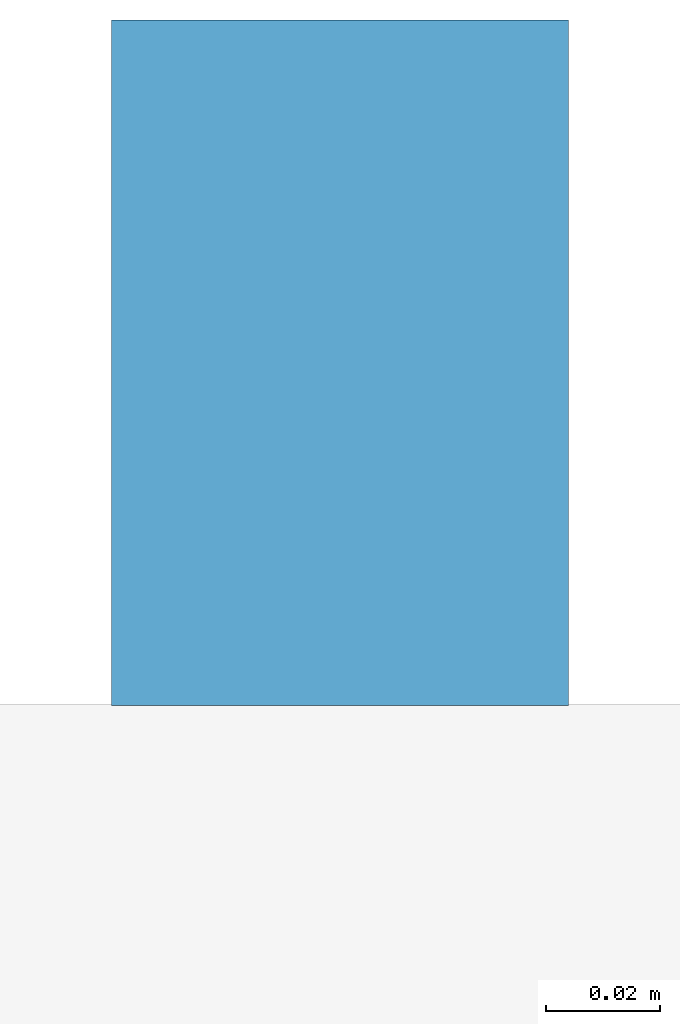
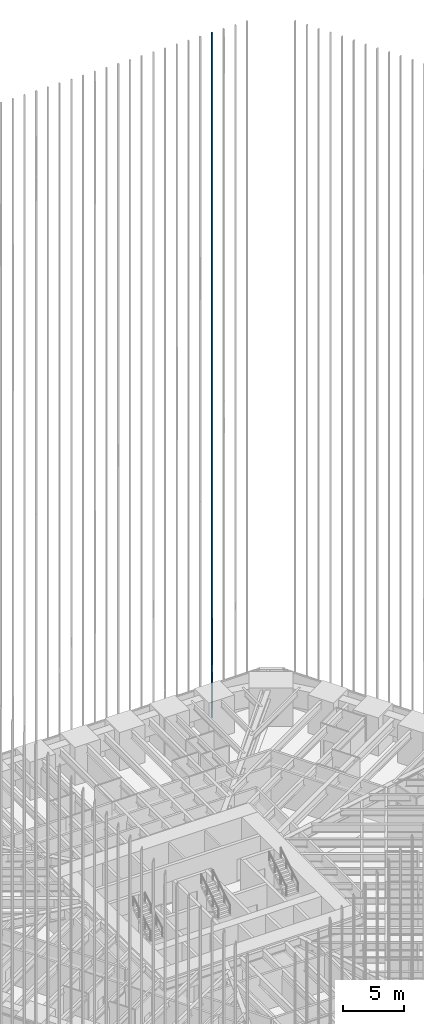
# One storey, part 235 of 256: 1 member, 1 element without a shape of its own.
"""IFC4 building model written with IfcOpenShell, lengths in metres."""

import ifcopenshell
import ifcopenshell.guid

model = None  # the IFC model being written
_history = None  # IfcOwnerHistory: only IFC2X3 demands one
_inside = {}  # id of a spatial element -> (the spatial element, [elements in it])
_under = {}  # id of a project, library or spatial element -> (it, [spatial elements below it])
_declared = {}  # id of a project -> (the project, [libraries it declares])
_typed = {}  # id of a type object -> (the type object, [elements of that type])
_made_of = {}  # id of a material, layer set ... -> (it, [elements and type objects made of it])


def new_model(schema):
    """Start an empty IFC model of exactly this schema.

    Asked for "IFC4X3", IfcOpenShell would pick the latest addendum, in which some entities
    have other attributes; the version numbers below select the first issue.
    IFC2X3 requires an IfcOwnerHistory on every rooted entity: one is made here for all.
    """
    global model, _history
    if schema == "IFC4X3":
        model = ifcopenshell.file(schema_version=(4, 3, 0, 0))
    else:
        model = ifcopenshell.file(schema=schema)
    _inside.clear()
    _under.clear()
    _declared.clear()
    _typed.clear()
    _made_of.clear()
    _history = None
    if model.schema == "IFC2X3":
        org = make("IfcOrganization", Name="unknown")
        user = make(
            "IfcPersonAndOrganization",
            ThePerson=make("IfcPerson", FamilyName="unknown"),
            TheOrganization=org,
        )
        app = make(
            "IfcApplication",
            ApplicationDeveloper=org,
            Version="unknown",
            ApplicationFullName="unknown",
            ApplicationIdentifier="unknown",
        )
        _history = make(
            "IfcOwnerHistory",
            OwningUser=user,
            OwningApplication=app,
            ChangeAction="ADDED",
            CreationDate=0,
        )
    return model


def make(cls, **values):
    """One entity of the class cls with the attributes given. An attribute that is None is left unset."""
    return model.create_entity(
        cls, **{name: value for name, value in values.items() if value is not None}
    )


def rooted(cls, **values):
    """An entity with a GlobalId (a new one), such as an element, a storey or a relation."""
    return make(cls, GlobalId=ifcopenshell.guid.new(), OwnerHistory=_history, **values)


def si_unit(unit_type, name, prefix=None):
    """IfcSIUnit, for example si_unit("LENGTHUNIT", "METRE", prefix="MILLI")."""
    return make("IfcSIUnit", UnitType=unit_type, Prefix=prefix, Name=name)


def assignment(units):
    """IfcUnitAssignment: the units of a project."""
    return None if units is None else make("IfcUnitAssignment", Units=units)


def point(xyz):
    """IfcCartesianPoint."""
    return None if xyz is None else make("IfcCartesianPoint", Coordinates=xyz)


def direction(xyz):
    """IfcDirection."""
    return None if xyz is None else make("IfcDirection", DirectionRatios=xyz)


def frame(location, z_axis=None, x_axis=None):
    """IfcAxis2Placement3D, a coordinate frame: its origin and axes. An axis left out is left unset."""
    return make(
        "IfcAxis2Placement3D",
        Location=point(location),
        Axis=direction(z_axis),
        RefDirection=direction(x_axis),
    )


def frame_2d(location, x_axis=None):
    """IfcAxis2Placement2D, a coordinate frame in the plane: its origin and x axis."""
    return make(
        "IfcAxis2Placement2D", Location=point(location), RefDirection=direction(x_axis)
    )


def origin():
    """The frame at (0, 0, 0) with its axes left unset."""
    return frame((0.0, 0.0, 0.0))


def origin_2d():
    """The frame at (0, 0) in the plane with its x axis left unset."""
    return frame_2d((0.0, 0.0))


def place(relative_to, where):
    """IfcLocalPlacement: puts the frame where relative to a parent placement (None: the world)."""
    return make(
        "IfcLocalPlacement", PlacementRelTo=relative_to, RelativePlacement=where
    )


def context(
    kind, dimensions, precision=None, world=None, true_north=None, identifier=None
):
    """IfcGeometricRepresentationContext, for example the 3D "Model" context."""
    return make(
        "IfcGeometricRepresentationContext",
        ContextIdentifier=identifier,
        ContextType=kind,
        CoordinateSpaceDimension=dimensions,
        Precision=precision,
        WorldCoordinateSystem=world,
        TrueNorth=true_north,
    )


def subcontext(parent, identifier, kind, view, scale=None):
    """IfcGeometricRepresentationSubContext, for example "Body" below "Model"."""
    return make(
        "IfcGeometricRepresentationSubContext",
        ContextIdentifier=identifier,
        ContextType=kind,
        ParentContext=parent,
        TargetScale=scale,
        TargetView=view,
    )


def project(units=None, contexts=None):
    """IfcProject with its units and contexts."""
    return rooted(
        "IfcProject",
        Name="project",
        RepresentationContexts=contexts,
        UnitsInContext=assignment(units),
    )


def spatial(cls, under=None, at=None, **own):
    """A site, building, storey or space (cls), placed at a placement, below another one or the project."""
    s = rooted(cls, ObjectPlacement=at, **own)
    if under is not None:
        _under.setdefault(under.id(), (under, []))[1].append(s)
    return s


def profile(cls, at=None, kind="AREA", **sizes):
    """A parametric profile (cls). Its sizes go by their IFC names, for example OverallWidth=200.0."""
    return make(cls, ProfileType=kind, Position=at, **sizes)


def rectangle(**sizes):
    """IfcRectangleProfileDef."""
    return profile("IfcRectangleProfileDef", **sizes)


def extrude(swept, where, along, depth):
    """IfcExtrudedAreaSolid: the profile swept, set in the frame where, extruded along a direction by depth."""
    return make(
        "IfcExtrudedAreaSolid",
        SweptArea=swept,
        Position=where,
        ExtrudedDirection=direction(along),
        Depth=depth,
    )


def shape(context_of_items, identifier, shape_type, items):
    """IfcShapeRepresentation: the items that make up one representation, for example the "Body"."""
    return make(
        "IfcShapeRepresentation",
        ContextOfItems=context_of_items,
        RepresentationIdentifier=identifier,
        RepresentationType=shape_type,
        Items=items,
    )


def material(Name=None, Category=None):
    """IfcMaterial."""
    return make("IfcMaterial", Name=Name, Category=Category)


def material_profile(
    of_material, cross_section, Name=None, Category=None, Priority=None
):
    """IfcMaterialProfile: a cross section and its material."""
    return make(
        "IfcMaterialProfile",
        Name=Name,
        Material=of_material,
        Profile=cross_section,
        Priority=Priority,
        Category=Category,
    )


def profile_set(profiles, Name=None, composite=None):
    """IfcMaterialProfileSet."""
    return make(
        "IfcMaterialProfileSet",
        Name=Name,
        MaterialProfiles=profiles,
        CompositeProfile=composite,
    )


def made_of(thing, what):
    """Note that an element or type object is made of a material, layer set ...; save() writes the relation."""
    if what is not None:
        _made_of.setdefault(what.id(), (what, []))[1].append(thing)
    return thing


def type_object(cls, material=None, **own):
    """A type object (cls), such as IfcWallType, which elements share."""
    return made_of(rooted(cls, **own), material)


def element(
    cls,
    number,
    at=None,
    inside=None,
    cuts=None,
    type_object=None,
    material=None,
    context=None,
    identifier="Body",
    shape_type=None,
    held_by="IfcProductDefinitionShape",
    body=None,
    shapes=None,
    **own,
):
    """One element of the class cls, such as IfcWall. Its Tag is "e" and its number.

    at: its placement. inside: the storey or other place that contains it. cuts: it is an
    opening in that element (IfcRelVoidsElement). A single representation is given by context,
    identifier, shape_type and body (its items); several are given by shapes. held_by: the class
    of the entity that holds the representations. save() writes the other relations.
    """
    e = rooted(cls, Tag="e%d" % number, ObjectPlacement=at, **own)
    if body is not None:
        shapes = [shape(context, identifier, shape_type, body)]
    if shapes is not None:
        e.Representation = make(held_by, Representations=shapes)
    if inside is not None:
        _inside.setdefault(inside.id(), (inside, []))[1].append(e)
    if cuts is not None:
        rooted(
            "IfcRelVoidsElement", RelatingBuildingElement=cuts, RelatedOpeningElement=e
        )
    if type_object is not None:
        _typed.setdefault(type_object.id(), (type_object, []))[1].append(e)
    return made_of(e, material)


def aggregate(whole, parts):
    """IfcRelAggregates: a whole, such as a stair, and the parts it consists of."""
    return rooted("IfcRelAggregates", RelatingObject=whole, RelatedObjects=parts)


def save(model, path):
    """Write the relations noted so far, then the file.

    IfcRelAggregates (storeys below a building ...), IfcRelContainedInSpatialStructure (elements
    in a storey), IfcRelDefinesByType, IfcRelAssociatesMaterial and IfcRelDeclares: one each for
    every whole, place, type object, material and project.
    """
    for whole, parts in _under.values():
        aggregate(whole, parts)
    for where, things in _inside.values():
        rooted(
            "IfcRelContainedInSpatialStructure",
            RelatedElements=things,
            RelatingStructure=where,
        )
    for kind, things in _typed.values():
        rooted("IfcRelDefinesByType", RelatedObjects=things, RelatingType=kind)
    for what, things in _made_of.values():
        rooted("IfcRelAssociatesMaterial", RelatedObjects=things, RelatingMaterial=what)
    for by, libraries in _declared.values():
        rooted("IfcRelDeclares", RelatingContext=by, RelatedDefinitions=libraries)
    model.write(path)


model = new_model("IFC4")

# Units and contexts
model_context = context("Model", 3, precision=1e-05, world=origin(), true_north=direction((0.0, 1.0)))
body_context = subcontext(model_context, "Body", "Model", "MODEL_VIEW")
ifc_project = project(units=[si_unit("LENGTHUNIT", "METRE"), si_unit("AREAUNIT", "SQUARE_METRE"), si_unit("VOLUMEUNIT", "CUBIC_METRE"), si_unit("PLANEANGLEUNIT", "RADIAN"), si_unit("MASSUNIT", "GRAM", prefix="KILO")], contexts=[model_context])

# Site, building, storey
site_placement = place(None, origin())
site = spatial("IfcSite", under=ifc_project, at=site_placement, CompositionType="ELEMENT")
building_placement = place(site_placement, origin())
building = spatial("IfcBuilding", under=site, at=building_placement, Name="Sandreach Pilgrim Tower", CompositionType="ELEMENT")
storey_placement = place(building_placement, frame((0.0, 0.0, 23.0)))
storey = spatial("IfcBuildingStorey", under=building, at=storey_placement, Name="L04", CompositionType="ELEMENT", Elevation=23.0)

# Curtain wall, member
ifc_material_1 = material(Name="Aluminium framed curtain wall", Category="aluminium")
curtain_wall_type = type_object("IfcCurtainWallType", Name="Hostel tower curtain wall", PredefinedType="NOTDEFINED", material=ifc_material_1)
curtain_wall_placement = place(storey_placement, origin())
curtain_wall = element("IfcCurtainWall", 1, at=curtain_wall_placement, inside=storey, type_object=curtain_wall_type, Name="CW-1 L04 N", PredefinedType="NOTDEFINED")
ifc_material_2 = material(Name="Extruded terracotta on aluminium core", Category="masonry")
ifc_material_profile = material_profile(ifc_material_2, rectangle(XDim=0.080078125, YDim=0.1201171875, at=origin_2d()), Name="TBN 80X120")
ifc_profile_set = profile_set([ifc_material_profile], Name="Extruded terracotta on aluminium core")
member_type = type_object("IfcMemberType", Name="Terracotta baguette north", PredefinedType="USERDEFINED", material=ifc_profile_set)
member_placement = place(storey_placement, frame((15.462158203125, 24.30859375, 0.0), z_axis=(0.0, 0.0, 1.0), x_axis=(1.0, 0.0, 0.0)))
member = element("IfcMember", 2, at=member_placement, type_object=member_type, Name="Baguette Z1 N32", ObjectType="BAGUETTE", PredefinedType="USERDEFINED", context=body_context, shape_type="SweptSolid", body=[
    extrude(rectangle(XDim=0.080078125, YDim=0.1201171875, at=origin_2d()), origin(), (0.0, 0.0, 1.0), 68.239990234375),
])
aggregate(curtain_wall, [member])

save(model, "model.ifc")
